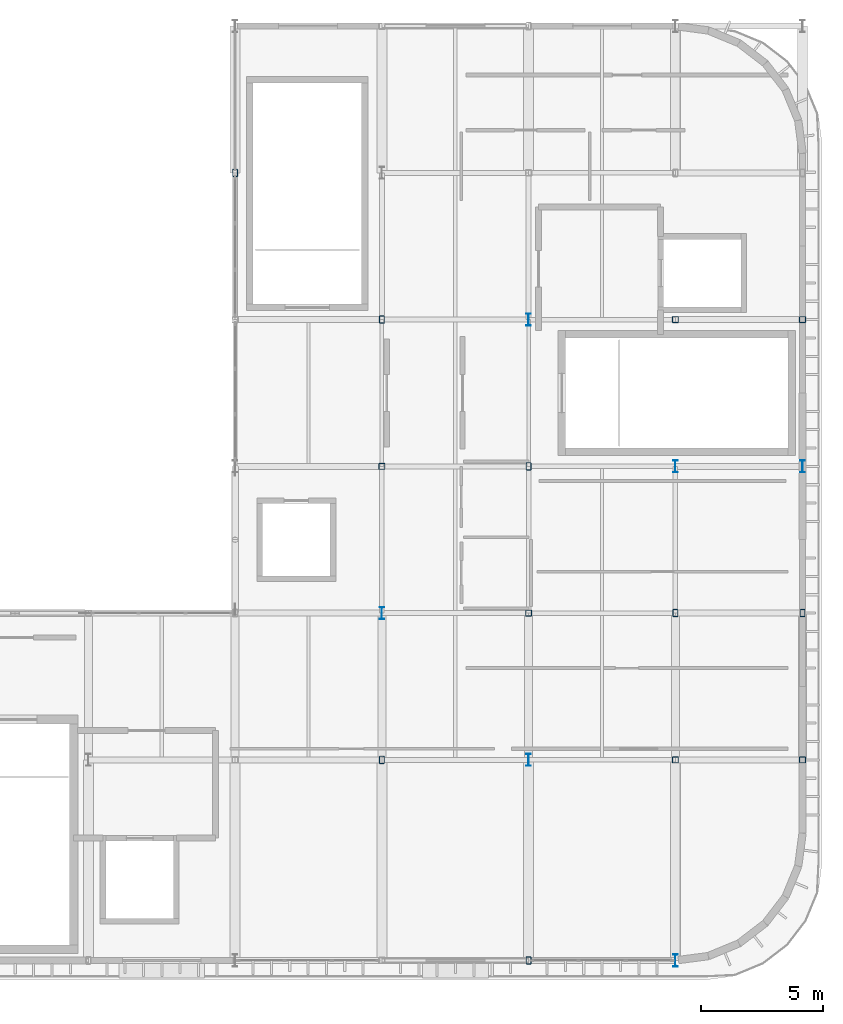
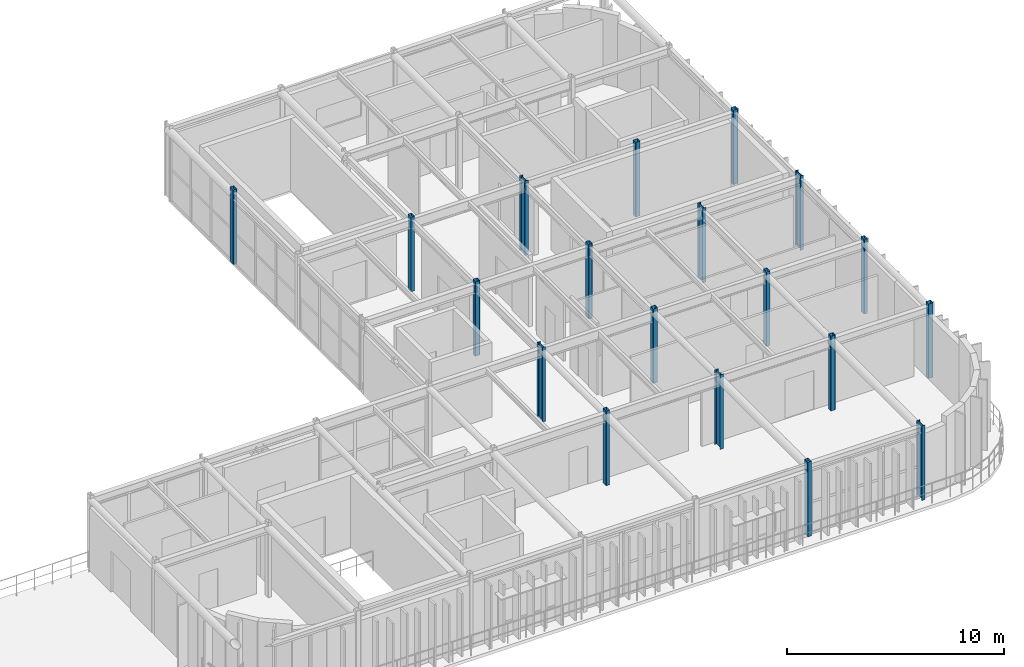
# One storey, part 2 of 14: 19 columns.
"""IFC4 building model written with IfcOpenShell, lengths in metres."""

from ifc_helpers import new_model, si_unit, direction, frame, origin, origin_2d, place, context, subcontext, project, spatial, hollow_rectangle, i_section, extrude, material, material_profile, profile_set, type_object, element, save


model = new_model("IFC4")

# Units and contexts
model_context = context("Model", 3, precision=1e-05, world=origin(), true_north=direction((0.0, 1.0)))
body_context = subcontext(model_context, "Body", "Model", "MODEL_VIEW")
ifc_project = project(units=[si_unit("LENGTHUNIT", "METRE"), si_unit("AREAUNIT", "SQUARE_METRE"), si_unit("VOLUMEUNIT", "CUBIC_METRE"), si_unit("PLANEANGLEUNIT", "RADIAN"), si_unit("MASSUNIT", "GRAM", prefix="KILO")], contexts=[model_context])

# Site, building, storey
site_placement = place(None, origin())
site = spatial("IfcSite", under=ifc_project, at=site_placement, CompositionType="ELEMENT")
building_placement = place(site_placement, origin())
building = spatial("IfcBuilding", under=site, at=building_placement, Name="Varnakota Square Police Headquarters", CompositionType="ELEMENT")
storey_placement = place(building_placement, frame((0.0, 0.0, 30.0)))
storey = spatial("IfcBuildingStorey", under=building, at=storey_placement, Name="L07", CompositionType="ELEMENT", Elevation=30.0)

# Columns
ifc_material = material(Name="Steel IS 2062 Grade 350", Category="steel")
ifc_material_profile_1 = material_profile(ifc_material, i_section(OverallWidth=0.179931640625, OverallDepth=0.5, WebThickness=0.01025390625, FlangeThickness=0.01708984375, FilletRadius=0.01708984375, at=origin_2d()), Name="ISMB 500")
ifc_profile_set_1 = profile_set([ifc_material_profile_1], Name="Steel IS 2062 Grade 350")
column_type_1 = type_object("IfcColumnType", Name="COL-ISMB500", PredefinedType="COLUMN", material=ifc_profile_set_1)
for number, where, z_axis, x_axis, name in (
    (1, (144.0, 15.0, 0.0), (0.0, 0.0, 1.0), (1.0, 0.0, 0.0), "Column X1440-Y0150 L07"),
    (2, (150.0, 9.0, 0.0), (0.0, 0.0, 1.0), (1.0, 0.0, 0.0), "Column X1500-Y0090 L07"),
    (3, (150.0, 27.0, 0.0), (0.0, 0.0, 1.0), (1.0, 0.0, 0.0), "Column X1500-Y0270 L07"),
    (4, (156.0, 0.800048828125, 0.0), (0.0, 0.0, 1.0), (1.0, 0.0, 0.0), "Column X1560-Y0008 L07"),
    (5, (156.0, 21.0, 0.0), (0.0, 0.0, 1.0), (1.0, 0.0, 0.0), "Column X1560-Y0210 L07"),
    (6, (161.199951171875, 21.0, 0.0), (0.0, 0.0, 1.0), (1.0, 0.0, 0.0), "Column X1612-Y0210 L07"),
):
    element("IfcColumn", number, at=place(storey_placement, frame(where, z_axis=z_axis, x_axis=x_axis)), inside=storey, type_object=column_type_1, Name=name, PredefinedType="COLUMN", context=body_context, shape_type="SweptSolid", body=[
        extrude(i_section(OverallWidth=0.179931640625, OverallDepth=0.5, WebThickness=0.01025390625, FlangeThickness=0.01708984375, FilletRadius=0.01708984375, at=origin_2d()), origin(), (0.0, 0.0, 1.0), 4.199951171875),
    ])
ifc_material_profile_2 = material_profile(ifc_material, hollow_rectangle(XDim=0.199951171875, YDim=0.300048828125, WallThickness=0.011962890625, InnerFilletRadius=0.011962890625, OuterFilletRadius=0.02392578125, at=origin_2d()), Name="RHS 300x200x12")
ifc_profile_set_2 = profile_set([ifc_material_profile_2], Name="Steel IS 2062 Grade 350")
column_type_2 = type_object("IfcColumnType", Name="COL-RHS300", PredefinedType="COLUMN", material=ifc_profile_set_2)
for number, where, z_axis, x_axis, name in (
    (7, (138.0, 33.0, 0.0), (0.0, 0.0, 1.0), (1.0, 0.0, 0.0), "Column X1380-Y0330 L07"),
    (8, (144.0, 9.0, 0.0), (0.0, 0.0, 1.0), (1.0, 0.0, 0.0), "Column X1440-Y0090 L07"),
    (9, (144.0, 27.0, 0.0), (0.0, 0.0, 1.0), (1.0, 0.0, 0.0), "Column X1440-Y0270 L07"),
    (10, (150.0, 0.800048828125, 0.0), (0.0, 0.0, 1.0), (1.0, 0.0, 0.0), "Column X1500-Y0008 L07"),
    (11, (150.0, 21.0, 0.0), (0.0, 0.0, 1.0), (1.0, 0.0, 0.0), "Column X1500-Y0210 L07"),
    (12, (156.0, 15.0, 0.0), (0.0, 0.0, 1.0), (1.0, 0.0, 0.0), "Column X1560-Y0150 L07"),
    (13, (161.199951171875, 15.0, 0.0), (0.0, 0.0, 1.0), (1.0, 0.0, 0.0), "Column X1612-Y0150 L07"),
):
    element("IfcColumn", number, at=place(storey_placement, frame(where, z_axis=z_axis, x_axis=x_axis)), inside=storey, type_object=column_type_2, Name=name, PredefinedType="COLUMN", context=body_context, shape_type="SweptSolid", body=[
        extrude(hollow_rectangle(XDim=0.199951171875, YDim=0.300048828125, WallThickness=0.011962890625, InnerFilletRadius=0.011962890625, OuterFilletRadius=0.02392578125, at=origin_2d()), origin(), (0.0, 0.0, 1.0), 4.199951171875),
    ])
ifc_material_profile_3 = material_profile(ifc_material, hollow_rectangle(XDim=0.25, YDim=0.25, WallThickness=0.011962890625, InnerFilletRadius=0.011962890625, OuterFilletRadius=0.02392578125, at=origin_2d()), Name="SHS 250x250x12")
ifc_profile_set_3 = profile_set([ifc_material_profile_3], Name="Steel IS 2062 Grade 350")
column_type_3 = type_object("IfcColumnType", Name="COL-SHS250", PredefinedType="COLUMN", material=ifc_profile_set_3)
for number, where, z_axis, x_axis, name in (
    (14, (144.0, 21.0, 0.0), (0.0, 0.0, 1.0), (1.0, 0.0, 0.0), "Column X1440-Y0210 L07"),
    (15, (150.0, 15.0, 0.0), (0.0, 0.0, 1.0), (1.0, 0.0, 0.0), "Column X1500-Y0150 L07"),
    (16, (156.0, 9.0, 0.0), (0.0, 0.0, 1.0), (1.0, 0.0, 0.0), "Column X1560-Y0090 L07"),
    (17, (156.0, 27.0, 0.0), (0.0, 0.0, 1.0), (1.0, 0.0, 0.0), "Column X1560-Y0270 L07"),
    (18, (161.199951171875, 9.0, 0.0), (0.0, 0.0, 1.0), (1.0, 0.0, 0.0), "Column X1612-Y0090 L07"),
    (19, (161.199951171875, 27.0, 0.0), (0.0, 0.0, 1.0), (1.0, 0.0, 0.0), "Column X1612-Y0270 L07"),
):
    element("IfcColumn", number, at=place(storey_placement, frame(where, z_axis=z_axis, x_axis=x_axis)), inside=storey, type_object=column_type_3, Name=name, PredefinedType="COLUMN", context=body_context, shape_type="SweptSolid", body=[
        extrude(hollow_rectangle(XDim=0.25, YDim=0.25, WallThickness=0.011962890625, InnerFilletRadius=0.011962890625, OuterFilletRadius=0.02392578125, at=origin_2d()), origin(), (0.0, 0.0, 1.0), 4.199951171875),
    ])

save(model, "model.ifc")
